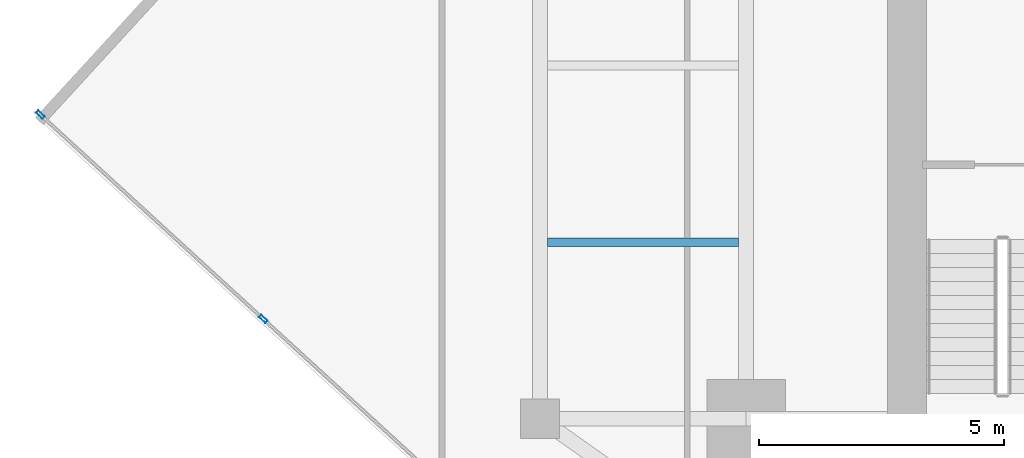
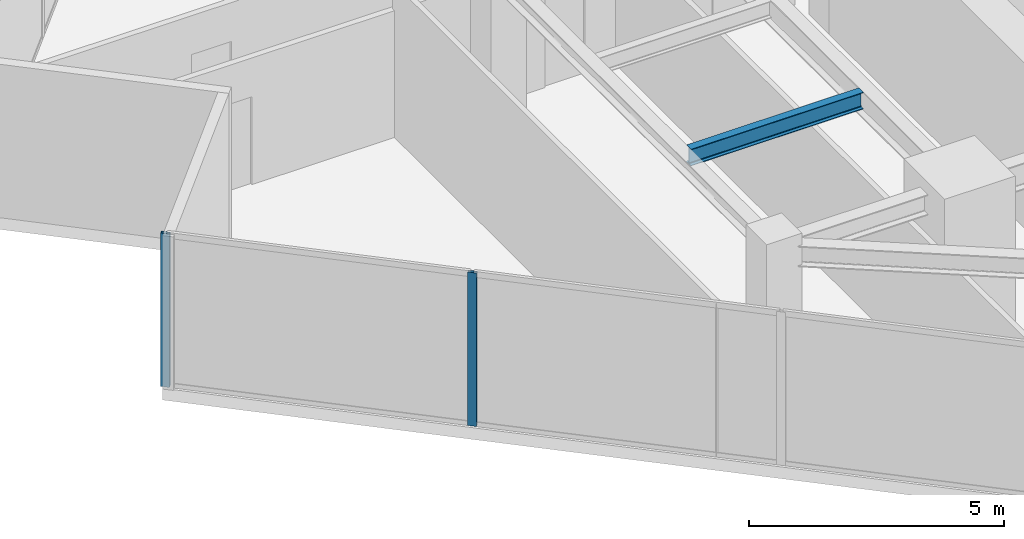
# One storey, part 6 of 26: 2 members, 1 beam, 1 element without a shape of its own.
"""IFC4 building model written with IfcOpenShell, lengths in metres."""

from ifc_helpers import new_model, si_unit, direction, frame, origin, origin_2d, place, context, subcontext, project, spatial, hollow_rectangle, i_section, extrude, source, transform, mapped, material, material_profile, profile_set, type_object, type_shapes, element, aggregate, save


model = new_model("IFC4")

# Units and contexts
model_context = context("Model", 3, precision=1e-05, world=origin(), true_north=direction((0.0, 1.0)))
body_context = subcontext(model_context, "Body", "Model", "MODEL_VIEW")
ifc_project = project(units=[si_unit("LENGTHUNIT", "METRE"), si_unit("AREAUNIT", "SQUARE_METRE"), si_unit("VOLUMEUNIT", "CUBIC_METRE"), si_unit("PLANEANGLEUNIT", "RADIAN"), si_unit("MASSUNIT", "GRAM", prefix="KILO")], contexts=[model_context])

# Site, building, storey
site_placement = place(None, origin())
site = spatial("IfcSite", under=ifc_project, at=site_placement, CompositionType="ELEMENT")
building_placement = place(site_placement, origin())
building = spatial("IfcBuilding", under=site, at=building_placement, Name="Krantzveldt Concourse Tower", CompositionType="ELEMENT")
storey_placement = place(building_placement, frame((0.0, 0.0, 219.14990234375)))
storey = spatial("IfcBuildingStorey", under=building, at=storey_placement, Name="L53", CompositionType="ELEMENT", Elevation=219.14990234375)

# Beam
ifc_material_1 = material(Name="Steel S355JR", Category="steel")
ifc_material_profile_1 = material_profile(ifc_material_1, i_section(OverallWidth=0.179931640625, OverallDepth=0.39990234375, WebThickness=0.008544921875, FlangeThickness=0.013427734375, FilletRadius=0.02099609375, at=origin_2d()), Name="Steel S355JR", Category="steel")
ifc_profile_set_1 = profile_set([ifc_material_profile_1], Name="Steel S355JR - IPE 400")
beam_type = type_object("IfcBeamType", Name="BM-J-IPE400", PredefinedType="JOIST", material=ifc_profile_set_1)
shared_shape_1 = source(origin(), body_context, "Body", "SweptSolid", [
    extrude(i_section(OverallWidth=0.179931640625, OverallDepth=0.39990234375, WebThickness=0.008544921875, FlangeThickness=0.013427734375, FilletRadius=0.02099609375, at=origin_2d()), origin(), (0.0, 0.0, 1.0), 3.900146484375),
])
type_shapes(beam_type, [shared_shape_1])
beam_placement = place(storey_placement, frame((21.14990234375, 19.5, 3.47021484375), z_axis=(1.0, 0.0, 0.0), x_axis=(0.0, 1.0, 0.0)))
element("IfcBeam", 1, at=beam_placement, inside=storey, type_object=beam_type, Name="L53 Secondary Floor Joist JW-1", PredefinedType="JOIST", context=body_context, shape_type="MappedRepresentation", body=[
    mapped(shared_shape_1, transform((0.0, 0.0, 0.0), x_axis=(1.0, 0.0, 0.0), y_axis=(0.0, 1.0, 0.0), z_axis=(0.0, 0.0, 1.0), scale=1.0)),
])

# Curtain wall, members
ifc_material_2 = material(Name="Anodised aluminium 6063-T6", Category="aluminium")
curtain_wall_type = type_object("IfcCurtainWallType", Name="CW3", PredefinedType="USERDEFINED", material=ifc_material_2)
curtain_wall_placement = place(storey_placement, origin())
curtain_wall = element("IfcCurtainWall", 2, at=curtain_wall_placement, inside=storey, type_object=curtain_wall_type, Name="CW-L53-F04", ObjectType="UNITISED CURTAIN WALL", PredefinedType="USERDEFINED")
ifc_material_profile_2 = material_profile(ifc_material_2, hollow_rectangle(XDim=0.070068359375, YDim=0.179931640625, WallThickness=0.0048828125, at=origin_2d()), Name="Anodised aluminium 6063-T6", Category="aluminium")
ifc_profile_set_2 = profile_set([ifc_material_profile_2], Name="Anodised aluminium 6063-T6 - ALU-MULL 180x70x5")
member_type = type_object("IfcMemberType", Name="CW-MUL-180", PredefinedType="MULLION", material=ifc_profile_set_2)
shared_shape_2 = source(origin(), body_context, "Body", "SweptSolid", [
    extrude(hollow_rectangle(XDim=0.070068359375, YDim=0.179931640625, WallThickness=0.0048828125, at=origin_2d()), origin(), (0.0, 0.0, 1.0), 3.670166015625),
])
type_shapes(member_type, [shared_shape_2])
member_1_placement = place(storey_placement, frame((10.809326171875, 22.10009765625, 0.0), z_axis=(0.0, 0.0, 1.0), x_axis=(0.675590053651, 0.737277477893, 0.0)))
member_1 = element("IfcMember", 3, at=member_1_placement, type_object=member_type, Name="CW-Z34 mullion 1", PredefinedType="MULLION", context=body_context, shape_type="MappedRepresentation", body=[
    mapped(shared_shape_2, transform((0.0, 0.0, 0.0), x_axis=(1.0, 0.0, 0.0), y_axis=(0.0, 1.0, 0.0), z_axis=(0.0, 0.0, 1.0), scale=1.0)),
])
member_2_placement = place(storey_placement, frame((15.3544921875, 17.93505859375, 0.0), z_axis=(0.0, 0.0, 1.0), x_axis=(0.675590053651, 0.737277477893, 0.0)))
member_2 = element("IfcMember", 4, at=member_2_placement, type_object=member_type, Name="CW-Z34 mullion 2", PredefinedType="MULLION", context=body_context, shape_type="MappedRepresentation", body=[
    mapped(shared_shape_2, transform((0.0, 0.0, 0.0), x_axis=(1.0, 0.0, 0.0), y_axis=(0.0, 1.0, 0.0), z_axis=(0.0, 0.0, 1.0), scale=1.0)),
])
aggregate(curtain_wall, [member_1, member_2])

save(model, "model.ifc")
